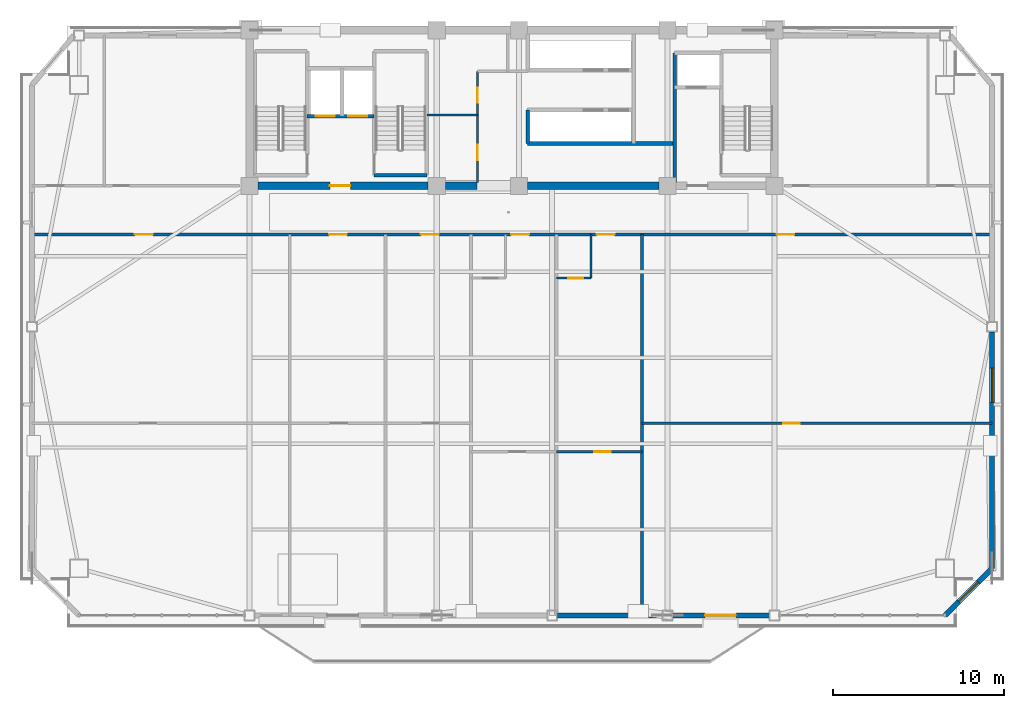
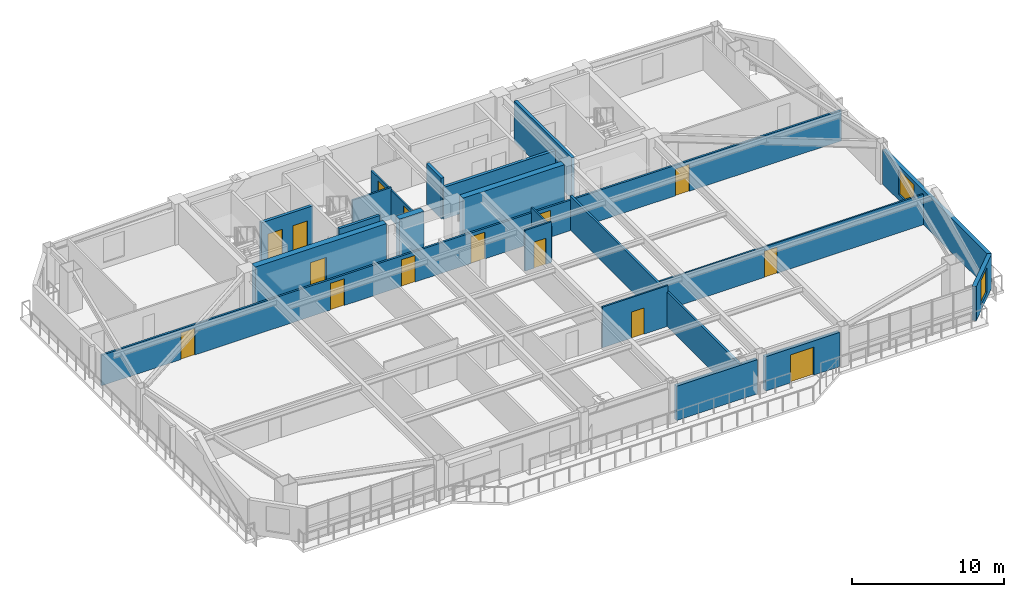
# One storey, part 9 of 17: 20 walls, 15 doors, 2 windows, 17 openings.
"""IFC4 building model written with IfcOpenShell, lengths in metres."""

from ifc_helpers import new_model, si_unit, direction, frame, frame_2d, origin, place, context, subcontext, project, spatial, rectangle, extrude, source, transform, mapped, material, layer, layer_set, type_object, element, fill, save


model = new_model("IFC4")

# Units and contexts
model_context = context("Model", 3, precision=1e-05, world=origin(), true_north=direction((0.0, 1.0)))
body_context = subcontext(model_context, "Body", "Model", "MODEL_VIEW")
ifc_project = project(units=[si_unit("LENGTHUNIT", "METRE"), si_unit("AREAUNIT", "SQUARE_METRE"), si_unit("VOLUMEUNIT", "CUBIC_METRE"), si_unit("PLANEANGLEUNIT", "RADIAN"), si_unit("MASSUNIT", "GRAM", prefix="KILO")], contexts=[model_context])

# Site, building, storey
site_placement = place(None, origin())
site = spatial("IfcSite", under=ifc_project, at=site_placement, CompositionType="ELEMENT")
building_placement = place(site_placement, origin())
building = spatial("IfcBuilding", under=site, at=building_placement, Name="Giltprow Tower", CompositionType="ELEMENT")
storey_placement = place(building_placement, frame((0.0, 0.0, 213.199951171875)))
storey = spatial("IfcBuildingStorey", under=building, at=storey_placement, Name="L54", CompositionType="ELEMENT", Elevation=213.199951171875)

# Wall, opening, window
ifc_material_1 = material(Name="Precast concrete C40", Category="concrete")
ifc_layer_1 = layer(ifc_material_1, 0.300048828125, Name="Precast concrete C40")
ifc_layer_set_1 = layer_set([ifc_layer_1], Name="Precast concrete C40")
wall_type_1 = type_object("IfcWallType", Name="EW-NOTCH-CHAMFER-300", PredefinedType="SOLIDWALL", material=ifc_layer_set_1)
wall_1_placement = place(storey_placement, frame((60.528076171875, 12.318115234375, 0.0), z_axis=(0.0, 0.0, 1.0), x_axis=(0.707106781187, 0.707106781187, 0.0)))
wall_1 = element("IfcWall", 1, at=wall_1_placement, inside=storey, type_object=wall_type_1, Name="L54 Corner Notch Wall SE", PredefinedType="SOLIDWALL", context=body_context, shape_type="SweptSolid", body=[
    extrude(rectangle(XDim=3.89453125, YDim=0.300048828125, at=frame_2d((1.947265625, 0.0))), origin(), (0.0, 0.0, 1.0), 2.75),
])
opening_1_placement = place(wall_1_placement, frame((1.14697265625, 0.0, 0.449951171875)))
opening_1 = element("IfcOpeningElement", 2, at=opening_1_placement, cuts=wall_1, Name="Opening WN17", PredefinedType="OPENING", context=body_context, shape_type="SweptSolid", body=[
    extrude(rectangle(XDim=1.60009765625, YDim=2.0, at=frame_2d((0.800048828125, 1.0))), frame((0.0, 0.159912109375, 0.0), z_axis=(0.0, -1.0, 0.0), x_axis=(1.0, 0.0, 0.0)), (0.0, 0.0, 1.0), 0.320068359375),
])
ifc_material_2 = material(Name="Insulated glass", Category="glass")
window_type_1 = type_object("IfcWindowType", Name="WN-COR-1600x2000", PartitioningType="SINGLE_PANEL", PredefinedType="WINDOW", material=ifc_material_2)
shared_shape_1 = source(origin(), body_context, "Body", "SweptSolid", [
    extrude(rectangle(XDim=1.60009765625, YDim=2.0, at=frame_2d((0.800048828125, 1.0))), frame((0.0, 0.030029296875, 0.0), z_axis=(0.0, -1.0, 0.0), x_axis=(1.0, 0.0, 0.0)), (0.0, 0.0, 1.0), 0.06005859375),
])
window_1_placement = place(opening_1_placement, origin())
window_1 = element("IfcWindow", 3, at=window_1_placement, inside=storey, type_object=window_type_1, Name="L54 Corner Notch Window SE", OverallHeight=2.0, OverallWidth=1.60009765625, PartitioningType="SINGLE_PANEL", PredefinedType="WINDOW", context=body_context, shape_type="MappedRepresentation", body=[
    mapped(shared_shape_1, transform((0.0, 0.0, 0.0), x_axis=(1.0, 0.0, 0.0), y_axis=(0.0, 1.0, 0.0), z_axis=(0.0, 0.0, 1.0), scale=1.0)),
])
fill(opening_1, window_1)

# Wall
ifc_layer_2 = layer(ifc_material_1, 0.280029296875, Name="Precast concrete C40")
ifc_layer_set_2 = layer_set([ifc_layer_2], Name="Precast concrete C40")
wall_type_2 = type_object("IfcWallType", Name="EW-TOW-BRONZE-280", PredefinedType="SOLIDWALL", material=ifc_layer_set_2)
wall_2_placement = place(storey_placement, frame((37.85009765625, 12.318115234375, 0.0), z_axis=(0.0, 0.0, 1.0), x_axis=(1.0, 0.0, 0.0)))
element("IfcWall", 4, at=wall_2_placement, inside=storey, type_object=wall_type_2, Name="L54 South Expressed Frame Wall 4", PredefinedType="SOLIDWALL", context=body_context, shape_type="SweptSolid", body=[
    extrude(rectangle(XDim=6.14990234375, YDim=0.280029296875, at=frame_2d((3.074951171875, 0.0))), origin(), (0.0, 0.0, 1.0), 2.75),
])

# Wall, opening, door
wall_3_placement = place(storey_placement, frame((44.60009765625, 12.318115234375, 0.0), z_axis=(0.0, 0.0, 1.0), x_axis=(1.0, 0.0, 0.0)))
wall_3 = element("IfcWall", 5, at=wall_3_placement, inside=storey, type_object=wall_type_2, Name="L54 South Expressed Frame Wall 5", PredefinedType="SOLIDWALL", context=body_context, shape_type="SweptSolid", body=[
    extrude(rectangle(XDim=5.64990234375, YDim=0.280029296875, at=frame_2d((2.824951171875, 0.0))), origin(), (0.0, 0.0, 1.0), 2.75),
])
opening_2_placement = place(wall_3_placement, frame((1.89990234375, 0.0, 0.0)))
opening_2 = element("IfcOpeningElement", 6, at=opening_2_placement, cuts=wall_3, Name="Opening ED25", PredefinedType="OPENING", context=body_context, shape_type="SweptSolid", body=[
    extrude(rectangle(XDim=1.800048828125, YDim=2.25, at=frame_2d((0.89990234375, 1.125))), frame((0.0, 0.14990234375, 0.0), z_axis=(0.0, -1.0, 0.0), x_axis=(1.0, 0.0, 0.0)), (0.0, 0.0, 1.0), 0.300048828125),
])
ifc_material_3 = material(Name="Anodized bronze and glass", Category="glass")
door_type_1 = type_object("IfcDoorType", Name="DR-BALC-SLIDE-1800", OperationType="SLIDING_TO_LEFT", PredefinedType="DOOR", material=ifc_material_3)
shared_shape_2 = source(origin(), body_context, "Body", "SweptSolid", [
    extrude(rectangle(XDim=1.800048828125, YDim=2.25, at=frame_2d((0.89990234375, 1.125))), frame((0.0, 0.02490234375, 0.0), z_axis=(0.0, -1.0, 0.0), x_axis=(1.0, 0.0, 0.0)), (0.0, 0.0, 1.0), 0.050048828125),
])
door_1_placement = place(opening_2_placement, origin())
door_1 = element("IfcDoor", 7, at=door_1_placement, inside=storey, type_object=door_type_1, Name="L54 Waterfront Balcony Sliding Door 2", OperationType="SLIDING_TO_LEFT", OverallHeight=2.25, OverallWidth=1.800048828125, PredefinedType="DOOR", context=body_context, shape_type="MappedRepresentation", body=[
    mapped(shared_shape_2, transform((0.0, 0.0, 0.0), x_axis=(1.0, 0.0, 0.0), y_axis=(0.0, 1.0, 0.0), z_axis=(0.0, 0.0, 1.0), scale=1.0)),
])
fill(opening_2, door_1)

# Wall, opening, window
wall_4_placement = place(storey_placement, frame((63.281982421875, 15.072021484375, 0.0), z_axis=(0.0, 0.0, 1.0), x_axis=(0.0, 1.0, 0.0)))
wall_4 = element("IfcWall", 8, at=wall_4_placement, inside=storey, type_object=wall_type_2, Name="L54 E Wing Masonry Wall 1", PredefinedType="SOLIDWALL", context=body_context, shape_type="SweptSolid", body=[
    extrude(rectangle(XDim=13.8369140625, YDim=0.280029296875, at=frame_2d((6.91845703125, 0.0))), origin(), (0.0, 0.0, 1.0), 2.75),
])
opening_3_placement = place(wall_4_placement, frame((9.7099609375, 0.0, 0.449951171875)))
opening_3 = element("IfcOpeningElement", 9, at=opening_3_placement, cuts=wall_4, Name="Opening WN21", PredefinedType="OPENING", context=body_context, shape_type="SweptSolid", body=[
    extrude(rectangle(XDim=2.0, YDim=2.0, at=frame_2d((1.0, 1.0))), frame((0.0, 0.14990234375, 0.0), z_axis=(0.0, -1.0, 0.0), x_axis=(1.0, 0.0, 0.0)), (0.0, 0.0, 1.0), 0.300048828125),
])
window_type_2 = type_object("IfcWindowType", Name="WN-HTL-2000x2000", PartitioningType="DOUBLE_PANEL_VERTICAL", PredefinedType="WINDOW", material=ifc_material_2)
shared_shape_3 = source(origin(), body_context, "Body", "SweptSolid", [
    extrude(rectangle(XDim=2.0, YDim=2.0, at=frame_2d((1.0, 1.0))), frame((0.0, 0.030029296875, 0.0), z_axis=(0.0, -1.0, 0.0), x_axis=(1.0, 0.0, 0.0)), (0.0, 0.0, 1.0), 0.06005859375),
])
window_2_placement = place(opening_3_placement, origin())
window_2 = element("IfcWindow", 10, at=window_2_placement, inside=storey, type_object=window_type_2, Name="L54 E Wing Window 1-1", OverallHeight=2.0, OverallWidth=2.0, PartitioningType="SINGLE_PANEL", PredefinedType="WINDOW", context=body_context, shape_type="MappedRepresentation", body=[
    mapped(shared_shape_3, transform((0.0, 0.0, 0.0), x_axis=(1.0, 0.0, 0.0), y_axis=(0.0, 1.0, 0.0), z_axis=(0.0, 0.0, 1.0), scale=1.0)),
])
fill(opening_3, window_2)

# Wall, openings, doors
ifc_material_4 = material(Name="Gypsum stud partition", Category="gypsum")
ifc_layer_3 = layer(ifc_material_4, 0.14990234375, Name="Gypsum stud partition")
ifc_layer_set_3 = layer_set([ifc_layer_3], Name="Gypsum stud partition")
wall_type_3 = type_object("IfcWallType", Name="IW-CORR-150", PredefinedType="PARTITIONING", material=ifc_layer_set_3)
wall_5_placement = place(storey_placement, frame((7.117919921875, 34.60009765625, 0.0), z_axis=(0.0, 0.0, 1.0), x_axis=(1.0, 0.0, 0.0)))
wall_5 = element("IfcWall", 11, at=wall_5_placement, inside=storey, type_object=wall_type_3, Name="L54 Hotel Guestroom Corridor Wall", PredefinedType="PARTITIONING", context=body_context, shape_type="SweptSolid", body=[
    extrude(rectangle(XDim=56.1640625, YDim=0.14990234375, at=frame_2d((28.08203125, 0.0))), origin(), (0.0, 0.0, 1.0), 2.455078125),
])
opening_4_placement = place(wall_5_placement, frame((6.02392578125, 0.0, 0.0)))
opening_4 = element("IfcOpeningElement", 12, at=opening_4_placement, cuts=wall_5, Name="Opening ID31", PredefinedType="OPENING", context=body_context, shape_type="SweptSolid", body=[
    extrude(rectangle(XDim=1.050048828125, YDim=2.14990234375, at=frame_2d((0.52490234375, 1.074951171875))), frame((0.0, 0.0849609375, 0.0), z_axis=(0.0, -1.0, 0.0), x_axis=(1.0, 0.0, 0.0)), (0.0, 0.0, 1.0), 0.169921875),
])
opening_5_placement = place(wall_5_placement, frame((17.37890625, 0.0, 0.0)))
opening_5 = element("IfcOpeningElement", 13, at=opening_5_placement, cuts=wall_5, Name="Opening ID31", PredefinedType="OPENING", context=body_context, shape_type="SweptSolid", body=[
    extrude(rectangle(XDim=1.050048828125, YDim=2.14990234375, at=frame_2d((0.52490234375, 1.074951171875))), frame((0.0, 0.0849609375, 0.0), z_axis=(0.0, -1.0, 0.0), x_axis=(1.0, 0.0, 0.0)), (0.0, 0.0, 1.0), 0.169921875),
])
opening_6_placement = place(wall_5_placement, frame((22.7509765625, 0.0, 0.0)))
opening_6 = element("IfcOpeningElement", 14, at=opening_6_placement, cuts=wall_5, Name="Opening ID31", PredefinedType="OPENING", context=body_context, shape_type="SweptSolid", body=[
    extrude(rectangle(XDim=1.050048828125, YDim=2.14990234375, at=frame_2d((0.52490234375, 1.074951171875))), frame((0.0, 0.0849609375, 0.0), z_axis=(0.0, -1.0, 0.0), x_axis=(1.0, 0.0, 0.0)), (0.0, 0.0, 1.0), 0.169921875),
])
opening_7_placement = place(wall_5_placement, frame((28.0380859375, 0.0, 0.0)))
opening_7 = element("IfcOpeningElement", 15, at=opening_7_placement, cuts=wall_5, Name="Opening ID31", PredefinedType="OPENING", context=body_context, shape_type="SweptSolid", body=[
    extrude(rectangle(XDim=1.050048828125, YDim=2.14990234375, at=frame_2d((0.52490234375, 1.074951171875))), frame((0.0, 0.0849609375, 0.0), z_axis=(0.0, -1.0, 0.0), x_axis=(1.0, 0.0, 0.0)), (0.0, 0.0, 1.0), 0.169921875),
])
opening_8_placement = place(wall_5_placement, frame((33.0380859375, 0.0, 0.0)))
opening_8 = element("IfcOpeningElement", 16, at=opening_8_placement, cuts=wall_5, Name="Opening ID31", PredefinedType="OPENING", context=body_context, shape_type="SweptSolid", body=[
    extrude(rectangle(XDim=1.050048828125, YDim=2.14990234375, at=frame_2d((0.52490234375, 1.074951171875))), frame((0.0, 0.0849609375, 0.0), z_axis=(0.0, -1.0, 0.0), x_axis=(1.0, 0.0, 0.0)), (0.0, 0.0, 1.0), 0.169921875),
])
opening_9_placement = place(wall_5_placement, frame((43.55810546875, 0.0, 0.0)))
opening_9 = element("IfcOpeningElement", 17, at=opening_9_placement, cuts=wall_5, Name="Opening ID31", PredefinedType="OPENING", context=body_context, shape_type="SweptSolid", body=[
    extrude(rectangle(XDim=1.050048828125, YDim=2.14990234375, at=frame_2d((0.52490234375, 1.074951171875))), frame((0.0, 0.0849609375, 0.0), z_axis=(0.0, -1.0, 0.0), x_axis=(1.0, 0.0, 0.0)), (0.0, 0.0, 1.0), 0.169921875),
])
ifc_material_5 = material(Name="Engineered timber", Category="wood")
door_type_2 = type_object("IfcDoorType", Name="DR-SUITE-1050", OperationType="SINGLE_SWING_LEFT", PredefinedType="DOOR", material=ifc_material_5)
shared_shape_4 = source(origin(), body_context, "Body", "SweptSolid", [
    extrude(rectangle(XDim=1.050048828125, YDim=2.14990234375, at=frame_2d((0.52490234375, 1.074951171875))), frame((0.0, 0.02490234375, 0.0), z_axis=(0.0, -1.0, 0.0), x_axis=(1.0, 0.0, 0.0)), (0.0, 0.0, 1.0), 0.050048828125),
])
door_2_placement = place(opening_4_placement, origin())
door_2 = element("IfcDoor", 18, at=door_2_placement, inside=storey, type_object=door_type_2, Name="L54 Suite Reception Foyer Door", OperationType="SINGLE_SWING_RIGHT", OverallHeight=2.14990234375, OverallWidth=1.050048828125, PredefinedType="DOOR", context=body_context, shape_type="MappedRepresentation", body=[
    mapped(shared_shape_4, transform((0.0, 0.0, 0.0), x_axis=(1.0, 0.0, 0.0), y_axis=(0.0, 1.0, 0.0), z_axis=(0.0, 0.0, 1.0), scale=1.0)),
])
fill(opening_4, door_2)
door_3_placement = place(opening_5_placement, origin())
door_3 = element("IfcDoor", 19, at=door_3_placement, inside=storey, type_object=door_type_2, Name="L54 Suite Reception Foyer Door", OperationType="SINGLE_SWING_RIGHT", OverallHeight=2.14990234375, OverallWidth=1.050048828125, PredefinedType="DOOR", context=body_context, shape_type="MappedRepresentation", body=[
    mapped(shared_shape_4, transform((0.0, 0.0, 0.0), x_axis=(1.0, 0.0, 0.0), y_axis=(0.0, 1.0, 0.0), z_axis=(0.0, 0.0, 1.0), scale=1.0)),
])
fill(opening_5, door_3)
door_4_placement = place(opening_6_placement, origin())
door_4 = element("IfcDoor", 20, at=door_4_placement, inside=storey, type_object=door_type_2, Name="L54 Suite Reception Foyer Door", OperationType="SINGLE_SWING_RIGHT", OverallHeight=2.14990234375, OverallWidth=1.050048828125, PredefinedType="DOOR", context=body_context, shape_type="MappedRepresentation", body=[
    mapped(shared_shape_4, transform((0.0, 0.0, 0.0), x_axis=(1.0, 0.0, 0.0), y_axis=(0.0, 1.0, 0.0), z_axis=(0.0, 0.0, 1.0), scale=1.0)),
])
fill(opening_6, door_4)
door_5_placement = place(opening_7_placement, origin())
door_5 = element("IfcDoor", 21, at=door_5_placement, inside=storey, type_object=door_type_2, Name="L54 Hotel Room 4 Entry Door", OperationType="SINGLE_SWING_RIGHT", OverallHeight=2.14990234375, OverallWidth=1.050048828125, PredefinedType="DOOR", context=body_context, shape_type="MappedRepresentation", body=[
    mapped(shared_shape_4, transform((0.0, 0.0, 0.0), x_axis=(1.0, 0.0, 0.0), y_axis=(0.0, 1.0, 0.0), z_axis=(0.0, 0.0, 1.0), scale=1.0)),
])
fill(opening_7, door_5)
door_6_placement = place(opening_8_placement, origin())
door_6 = element("IfcDoor", 22, at=door_6_placement, inside=storey, type_object=door_type_2, Name="L54 Hotel Room 5 Entry Door", OperationType="SINGLE_SWING_LEFT", OverallHeight=2.14990234375, OverallWidth=1.050048828125, PredefinedType="DOOR", context=body_context, shape_type="MappedRepresentation", body=[
    mapped(shared_shape_4, transform((0.0, 0.0, 0.0), x_axis=(1.0, 0.0, 0.0), y_axis=(0.0, 1.0, 0.0), z_axis=(0.0, 0.0, 1.0), scale=1.0)),
])
fill(opening_8, door_6)
door_7_placement = place(opening_9_placement, origin())
door_7 = element("IfcDoor", 23, at=door_7_placement, inside=storey, type_object=door_type_2, Name="L54 Suite Reception Foyer Door", OperationType="SINGLE_SWING_RIGHT", OverallHeight=2.14990234375, OverallWidth=1.050048828125, PredefinedType="DOOR", context=body_context, shape_type="MappedRepresentation", body=[
    mapped(shared_shape_4, transform((0.0, 0.0, 0.0), x_axis=(1.0, 0.0, 0.0), y_axis=(0.0, 1.0, 0.0), z_axis=(0.0, 0.0, 1.0), scale=1.0)),
])
fill(opening_9, door_7)

# Wall
ifc_layer_4 = layer(ifc_material_4, 0.159912109375, Name="Gypsum stud partition")
ifc_layer_set_4 = layer_set([ifc_layer_4], Name="Gypsum stud partition")
wall_type_4 = type_object("IfcWallType", Name="IW-DEMISE-160", PredefinedType="PARTITIONING", material=ifc_layer_set_4)
wall_6_placement = place(storey_placement, frame((42.800048828125, 12.318115234375, 0.0), z_axis=(0.0, 0.0, 1.0), x_axis=(0.0, 1.0, 0.0)))
element("IfcWall", 24, at=wall_6_placement, inside=storey, type_object=wall_type_4, Name="L54 Hotel Demising Wall 5", PredefinedType="PARTITIONING", context=body_context, shape_type="SweptSolid", body=[
    extrude(rectangle(XDim=22.281982421875, YDim=0.159912109375, at=frame_2d((11.14111328125, 0.0))), origin(), (0.0, 0.0, 1.0), 2.755126953125),
])

# Wall, opening, door
ifc_layer_5 = layer(ifc_material_4, 0.1201171875, Name="Gypsum stud partition")
ifc_layer_set_5 = layer_set([ifc_layer_5], Name="Gypsum stud partition")
wall_type_5 = type_object("IfcWallType", Name="IW-ROOM-120", PredefinedType="PARTITIONING", material=ifc_layer_set_5)
wall_7_placement = place(storey_placement, frame((37.800048828125, 21.89306640625, 0.0), z_axis=(0.0, 0.0, 1.0), x_axis=(1.0, 0.0, 0.0)))
wall_7 = element("IfcWall", 25, at=wall_7_placement, inside=storey, type_object=wall_type_5, Name="L54 Suite Parlour Divider 5", PredefinedType="PARTITIONING", context=body_context, shape_type="SweptSolid", body=[
    extrude(rectangle(XDim=5.0, YDim=0.1201171875, at=frame_2d((2.5, 0.0))), origin(), (0.0, 0.0, 1.0), 3.27001953125),
])
opening_10_placement = place(wall_7_placement, frame((2.22509765625, 0.0, 0.0)))
opening_10 = element("IfcOpeningElement", 26, at=opening_10_placement, cuts=wall_7, Name="Opening ID11", PredefinedType="OPENING", context=body_context, shape_type="SweptSolid", body=[
    extrude(rectangle(XDim=0.949951171875, YDim=2.10009765625, at=frame_2d((0.47509765625, 1.050048828125))), frame((0.0, 0.070068359375, 0.0), z_axis=(0.0, -1.0, 0.0), x_axis=(1.0, 0.0, 0.0)), (0.0, 0.0, 1.0), 0.14013671875),
])
door_type_3 = type_object("IfcDoorType", Name="DR-ROOM-950", OperationType="SINGLE_SWING_RIGHT", PredefinedType="DOOR", material=ifc_material_5)
shared_shape_5 = source(origin(), body_context, "Body", "SweptSolid", [
    extrude(rectangle(XDim=0.949951171875, YDim=2.10009765625, at=frame_2d((0.47509765625, 1.050048828125))), frame((0.0, 0.02490234375, 0.0), z_axis=(0.0, -1.0, 0.0), x_axis=(1.0, 0.0, 0.0)), (0.0, 0.0, 1.0), 0.050048828125),
])
door_8_placement = place(opening_10_placement, origin())
door_8 = element("IfcDoor", 27, at=door_8_placement, inside=storey, type_object=door_type_3, Name="L54 Harbour Parlour 5 Door", OperationType="SINGLE_SWING_LEFT", OverallHeight=2.10009765625, OverallWidth=0.949951171875, PredefinedType="DOOR", context=body_context, shape_type="MappedRepresentation", body=[
    mapped(shared_shape_5, transform((0.0, 0.0, 0.0), x_axis=(1.0, 0.0, 0.0), y_axis=(0.0, 1.0, 0.0), z_axis=(0.0, 0.0, 1.0), scale=1.0)),
])
fill(opening_10, door_8)

wall_8_placement = place(storey_placement, frame((42.800048828125, 23.55908203125, 0.0), z_axis=(0.0, 0.0, 1.0), x_axis=(1.0, 0.0, 0.0)))
wall_8 = element("IfcWall", 28, at=wall_8_placement, inside=storey, type_object=wall_type_5, Name="L54 Amenity Mid Wall 6", PredefinedType="PARTITIONING", context=body_context, shape_type="SweptSolid", body=[
    extrude(rectangle(XDim=20.48193359375, YDim=0.1201171875, at=frame_2d((10.240966796875, 0.0))), origin(), (0.0, 0.0, 1.0), 2.455078125),
])
opening_11_placement = place(wall_8_placement, frame((8.279052734375, 0.0, 0.0)))
opening_11 = element("IfcOpeningElement", 29, at=opening_11_placement, cuts=wall_8, Name="Opening ID11", PredefinedType="OPENING", context=body_context, shape_type="SweptSolid", body=[
    extrude(rectangle(XDim=0.949951171875, YDim=2.10009765625, at=frame_2d((0.47509765625, 1.050048828125))), frame((0.0, 0.070068359375, 0.0), z_axis=(0.0, -1.0, 0.0), x_axis=(1.0, 0.0, 0.0)), (0.0, 0.0, 1.0), 0.14013671875),
])
door_9_placement = place(opening_11_placement, origin())
door_9 = element("IfcDoor", 30, at=door_9_placement, inside=storey, type_object=door_type_3, Name="L54 Presidential Reception 3 Inner Door", OperationType="SINGLE_SWING_LEFT", OverallHeight=2.10009765625, OverallWidth=0.949951171875, PredefinedType="DOOR", context=body_context, shape_type="MappedRepresentation", body=[
    mapped(shared_shape_5, transform((0.0, 0.0, 0.0), x_axis=(1.0, 0.0, 0.0), y_axis=(0.0, 1.0, 0.0), z_axis=(0.0, 0.0, 1.0), scale=1.0)),
])
fill(opening_11, door_9)

# Wall, openings, doors
ifc_material_6 = material(Name="Concrete C40", Category="concrete")
ifc_layer_6 = layer(ifc_material_6, 0.219970703125, Name="Concrete C40")
ifc_layer_set_6 = layer_set([ifc_layer_6], Name="Concrete C40")
wall_type_6 = type_object("IfcWallType", Name="IW-SHAFT-220", PredefinedType="SOLIDWALL", material=ifc_layer_set_6)
wall_9_placement = place(storey_placement, frame((23.219970703125, 41.52001953125, 0.0), z_axis=(0.0, 0.0, 1.0), x_axis=(1.0, 0.0, 0.0)))
wall_9 = element("IfcWall", 31, at=wall_9_placement, inside=storey, type_object=wall_type_6, Name="L54 FFL1 and Service Lift Front Wall", PredefinedType="SOLIDWALL", context=body_context, shape_type="SweptSolid", body=[
    extrude(rectangle(XDim=3.919921875, YDim=0.219970703125, at=frame_2d((1.9599609375, 0.0))), origin(), (0.0, 0.0, 1.0), 3.27001953125),
])
opening_12_placement = place(wall_9_placement, frame((0.5, 0.0, 0.0)))
opening_12 = element("IfcOpeningElement", 32, at=opening_12_placement, cuts=wall_9, Name="Opening LD-11", PredefinedType="OPENING", context=body_context, shape_type="SweptSolid", body=[
    extrude(rectangle(XDim=1.10009765625, YDim=2.199951171875, at=frame_2d((0.550048828125, 1.10009765625))), frame((0.0, 0.119873046875, 0.0), z_axis=(0.0, -1.0, 0.0), x_axis=(1.0, 0.0, 0.0)), (0.0, 0.0, 1.0), 0.239990234375),
])
opening_13_placement = place(wall_9_placement, frame((2.39990234375, 0.0, 0.0)))
opening_13 = element("IfcOpeningElement", 33, at=opening_13_placement, cuts=wall_9, Name="Opening LD-11", PredefinedType="OPENING", context=body_context, shape_type="SweptSolid", body=[
    extrude(rectangle(XDim=1.10009765625, YDim=2.199951171875, at=frame_2d((0.550048828125, 1.10009765625))), frame((0.0, 0.119873046875, 0.0), z_axis=(0.0, -1.0, 0.0), x_axis=(1.0, 0.0, 0.0)), (0.0, 0.0, 1.0), 0.239990234375),
])
ifc_material_7 = material(Name="Stainless steel", Category="steel")
door_type_4 = type_object("IfcDoorType", Name="DR-LIFT-LD1100", OperationType="SLIDING_TO_LEFT", PredefinedType="DOOR", material=ifc_material_7)
shared_shape_6 = source(origin(), body_context, "Body", "SweptSolid", [
    extrude(rectangle(XDim=1.10009765625, YDim=2.199951171875, at=frame_2d((0.550048828125, 1.10009765625))), frame((0.0, 0.02490234375, 0.0), z_axis=(0.0, -1.0, 0.0), x_axis=(1.0, 0.0, 0.0)), (0.0, 0.0, 1.0), 0.050048828125),
])
door_10_placement = place(opening_12_placement, origin())
door_10 = element("IfcDoor", 34, at=door_10_placement, inside=storey, type_object=door_type_4, Name="L54 FFL1 Landing Door", OperationType="SLIDING_TO_LEFT", OverallHeight=2.199951171875, OverallWidth=1.10009765625, PredefinedType="DOOR", context=body_context, shape_type="MappedRepresentation", body=[
    mapped(shared_shape_6, transform((0.0, 0.0, 0.0), x_axis=(1.0, 0.0, 0.0), y_axis=(0.0, 1.0, 0.0), z_axis=(0.0, 0.0, 1.0), scale=1.0)),
])
fill(opening_12, door_10)
door_11_placement = place(opening_13_placement, origin())
door_11 = element("IfcDoor", 35, at=door_11_placement, inside=storey, type_object=door_type_4, Name="L54 SVL1 Landing Door", OperationType="SLIDING_TO_LEFT", OverallHeight=2.199951171875, OverallWidth=1.10009765625, PredefinedType="DOOR", context=body_context, shape_type="MappedRepresentation", body=[
    mapped(shared_shape_6, transform((0.0, 0.0, 0.0), x_axis=(1.0, 0.0, 0.0), y_axis=(0.0, 1.0, 0.0), z_axis=(0.0, 0.0, 1.0), scale=1.0)),
])
fill(opening_13, door_11)

# Walls
wall_10_placement = place(storey_placement, frame((44.719970703125, 37.655029296875, 0.0), z_axis=(0.0, 0.0, 1.0), x_axis=(0.0, 1.0, 0.0)))
element("IfcWall", 36, at=wall_10_placement, inside=storey, type_object=wall_type_6, Name="L54 East Firefighting Lobby West Wall", PredefinedType="SOLIDWALL", context=body_context, shape_type="SweptSolid", body=[
    extrude(rectangle(XDim=7.56494140625, YDim=0.219970703125, at=frame_2d((3.782470703125, 0.0))), origin(), (0.0, 0.0, 1.0), 3.27001953125),
])
wall_11_placement = place(storey_placement, frame((36.1201171875, 39.919921875, 0.0), z_axis=(0.0, 0.0, 1.0), x_axis=(1.0, 0.0, 0.0)))
element("IfcWall", 37, at=wall_11_placement, inside=storey, type_object=wall_type_6, Name="L54 Mid-Rise South Lift Back Wall", PredefinedType="SOLIDWALL", context=body_context, shape_type="SweptSolid", body=[
    extrude(rectangle(XDim=8.599853515625, YDim=0.219970703125, at=frame_2d((4.2998046875, 0.0))), origin(), (0.0, 0.0, 1.0), 2.554931640625),
])
wall_12_placement = place(storey_placement, frame((36.1201171875, 39.919921875, 0.0), z_axis=(0.0, 0.0, 1.0), x_axis=(0.0, 1.0, 0.0)))
element("IfcWall", 38, at=wall_12_placement, inside=storey, type_object=wall_type_6, Name="L54 Mid-Rise South Lift West Closure", PredefinedType="SOLIDWALL", context=body_context, shape_type="SweptSolid", body=[
    extrude(rectangle(XDim=1.9599609375, YDim=0.219970703125, at=frame_2d((0.97998046875, 0.0))), origin(), (0.0, 0.0, 1.0), 3.27001953125),
])
ifc_layer_7 = layer(ifc_material_6, 0.199951171875, Name="Concrete C40")
ifc_layer_set_7 = layer_set([ifc_layer_7], Name="Concrete C40")
wall_type_7 = type_object("IfcWallType", Name="IW-STAIR-200", PredefinedType="SOLIDWALL", material=ifc_layer_set_7)
wall_13_placement = place(storey_placement, frame((27.139892578125, 38.070068359375, 0.0), z_axis=(0.0, 0.0, 1.0), x_axis=(1.0, 0.0, 0.0)))
element("IfcWall", 39, at=wall_13_placement, inside=storey, type_object=wall_type_7, Name="L54 Stair ST-2 South Bearing Wall", PredefinedType="SOLIDWALL", context=body_context, shape_type="SweptSolid", body=[
    extrude(rectangle(XDim=3.080078125, YDim=0.199951171875, at=frame_2d((1.5400390625, 0.0))), origin(), (0.0, 0.0, 1.0), 3.5),
])

# Wall, openings, doors
ifc_material_8 = material(Name="Concrete C30", Category="concrete")
ifc_layer_8 = layer(ifc_material_8, 0.1298828125, Name="Concrete C30")
ifc_layer_set_8 = layer_set([ifc_layer_8], Name="Concrete C30")
wall_type_8 = type_object("IfcWallType", Name="IW-WET-130", PredefinedType="PARTITIONING", material=ifc_layer_set_8)
wall_14_placement = place(storey_placement, frame((33.179931640625, 37.655029296875, 0.0), z_axis=(0.0, 0.0, 1.0), x_axis=(0.0, 1.0, 0.0)))
wall_14 = element("IfcWall", 40, at=wall_14_placement, inside=storey, type_object=wall_type_8, Name="L54 Reclaimed Core Room East Wall", PredefinedType="PARTITIONING", context=body_context, shape_type="SweptSolid", body=[
    extrude(rectangle(XDim=6.494873046875, YDim=0.1298828125, at=frame_2d((3.24755859375, 0.0))), origin(), (0.0, 0.0, 1.0), 2.35498046875),
])
opening_14_placement = place(wall_14_placement, frame((1.294921875, 0.0, 0.0)))
opening_14 = element("IfcOpeningElement", 41, at=opening_14_placement, cuts=wall_14, Name="Opening ID35", PredefinedType="OPENING", context=body_context, shape_type="SweptSolid", body=[
    extrude(rectangle(XDim=0.89990234375, YDim=2.10009765625, at=frame_2d((0.449951171875, 1.050048828125))), frame((0.0, 0.074951171875, 0.0), z_axis=(0.0, -1.0, 0.0), x_axis=(1.0, 0.0, 0.0)), (0.0, 0.0, 1.0), 0.14990234375),
])
opening_15_placement = place(wall_14_placement, frame((4.64501953125, 0.0, 0.0)))
opening_15 = element("IfcOpeningElement", 42, at=opening_15_placement, cuts=wall_14, Name="Opening ID35", PredefinedType="OPENING", context=body_context, shape_type="SweptSolid", body=[
    extrude(rectangle(XDim=0.89990234375, YDim=2.10009765625, at=frame_2d((0.449951171875, 1.050048828125))), frame((0.0, 0.074951171875, 0.0), z_axis=(0.0, -1.0, 0.0), x_axis=(1.0, 0.0, 0.0)), (0.0, 0.0, 1.0), 0.14990234375),
])
ifc_material_9 = material(Name="Steel fire leaf", Category="steel")
door_type_5 = type_object("IfcDoorType", Name="DR-SHAFT-900", OperationType="SINGLE_SWING_LEFT", PredefinedType="DOOR", material=ifc_material_9)
shared_shape_7 = source(origin(), body_context, "Body", "SweptSolid", [
    extrude(rectangle(XDim=0.89990234375, YDim=2.10009765625, at=frame_2d((0.449951171875, 1.050048828125))), frame((0.0, 0.02490234375, 0.0), z_axis=(0.0, -1.0, 0.0), x_axis=(1.0, 0.0, 0.0)), (0.0, 0.0, 1.0), 0.050048828125),
])
door_12_placement = place(opening_14_placement, origin())
door_12 = element("IfcDoor", 43, at=door_12_placement, inside=storey, type_object=door_type_5, Name="L54 Housekeeping Room Door", OperationType="SINGLE_SWING_RIGHT", OverallHeight=2.10009765625, OverallWidth=0.89990234375, PredefinedType="DOOR", context=body_context, shape_type="MappedRepresentation", body=[
    mapped(shared_shape_7, transform((0.0, 0.0, 0.0), x_axis=(1.0, 0.0, 0.0), y_axis=(0.0, 1.0, 0.0), z_axis=(0.0, 0.0, 1.0), scale=1.0)),
])
fill(opening_14, door_12)
door_13_placement = place(opening_15_placement, origin())
door_13 = element("IfcDoor", 44, at=door_13_placement, inside=storey, type_object=door_type_5, Name="L54 Core Staff Washroom Door", OperationType="SINGLE_SWING_LEFT", OverallHeight=2.10009765625, OverallWidth=0.89990234375, PredefinedType="DOOR", context=body_context, shape_type="MappedRepresentation", body=[
    mapped(shared_shape_7, transform((0.0, 0.0, 0.0), x_axis=(1.0, 0.0, 0.0), y_axis=(0.0, 1.0, 0.0), z_axis=(0.0, 0.0, 1.0), scale=1.0)),
])
fill(opening_15, door_13)

# Wall
wall_15_placement = place(storey_placement, frame((30.219970703125, 41.60009765625, 0.0), z_axis=(0.0, 0.0, 1.0), x_axis=(1.0, 0.0, 0.0)))
element("IfcWall", 45, at=wall_15_placement, inside=storey, type_object=wall_type_8, Name="L54 Core Housekeeping Split", PredefinedType="PARTITIONING", context=body_context, shape_type="SweptSolid", body=[
    extrude(rectangle(XDim=2.9599609375, YDim=0.1298828125, at=frame_2d((1.47998046875, 0.0))), origin(), (0.0, 0.0, 1.0), 2.554931640625),
])

# Wall, opening, door
wall_16_placement = place(storey_placement, frame((37.800048828125, 32.050048828125, 0.0), z_axis=(0.0, 0.0, 1.0), x_axis=(1.0, 0.0, 0.0)))
wall_16 = element("IfcWall", 46, at=wall_16_placement, inside=storey, type_object=wall_type_8, Name="L54 En-Suite South Wall 5", PredefinedType="PARTITIONING", context=body_context, shape_type="SweptSolid", body=[
    extrude(rectangle(XDim=2.015869140625, YDim=0.1298828125, at=frame_2d((1.0078125, 0.0))), origin(), (0.0, 0.0, 1.0), 3.27001953125),
])
opening_16_placement = place(wall_16_placement, frame((0.677978515625, 0.0, 0.0)))
opening_16 = element("IfcOpeningElement", 47, at=opening_16_placement, cuts=wall_16, Name="Opening ID15", PredefinedType="OPENING", context=body_context, shape_type="SweptSolid", body=[
    extrude(rectangle(XDim=0.89990234375, YDim=2.10009765625, at=frame_2d((0.449951171875, 1.050048828125))), frame((0.0, 0.074951171875, 0.0), z_axis=(0.0, -1.0, 0.0), x_axis=(1.0, 0.0, 0.0)), (0.0, 0.0, 1.0), 0.14990234375),
])
door_type_6 = type_object("IfcDoorType", Name="DR-WC-900", OperationType="SINGLE_SWING_LEFT", PredefinedType="DOOR", material=ifc_material_5)
door_14_placement = place(opening_16_placement, origin())
door_14 = element("IfcDoor", 48, at=door_14_placement, inside=storey, type_object=door_type_6, Name="L54 En-Suite 5 Door", OperationType="SINGLE_SWING_RIGHT", OverallHeight=2.10009765625, OverallWidth=0.89990234375, PredefinedType="DOOR", context=body_context, shape_type="MappedRepresentation", body=[
    mapped(shared_shape_7, transform((0.0, 0.0, 0.0), x_axis=(1.0, 0.0, 0.0), y_axis=(0.0, 1.0, 0.0), z_axis=(0.0, 0.0, 1.0), scale=1.0)),
])
fill(opening_16, door_14)

# Wall
wall_17_placement = place(storey_placement, frame((39.81591796875, 32.050048828125, 0.0), z_axis=(0.0, 0.0, 1.0), x_axis=(0.0, 1.0, 0.0)))
element("IfcWall", 49, at=wall_17_placement, inside=storey, type_object=wall_type_8, Name="L54 En-Suite East Wall 5", PredefinedType="PARTITIONING", context=body_context, shape_type="SweptSolid", body=[
    extrude(rectangle(XDim=2.550048828125, YDim=0.1298828125, at=frame_2d((1.27490234375, 0.0))), origin(), (0.0, 0.0, 1.0), 2.85498046875),
])

# Wall, opening, door
ifc_material_10 = material(Name="Concrete C50", Category="concrete")
ifc_layer_9 = layer(ifc_material_10, 0.449951171875, Name="Concrete C50")
ifc_layer_set_9 = layer_set([ifc_layer_9], Name="Concrete C50")
wall_type_9 = type_object("IfcWallType", Name="SW-INT-450-C50", PredefinedType="SHEAR", material=ifc_layer_set_9)
wall_18_placement = place(storey_placement, frame((20.35009765625, 37.449951171875, 0.0), z_axis=(0.0, 0.0, 1.0), x_axis=(1.0, 0.0, 0.0)))
wall_18 = element("IfcWall", 50, at=wall_18_placement, inside=storey, type_object=wall_type_9, Name="L54 South Rear Core Shear Wall West", PredefinedType="SHEAR", context=body_context, shape_type="SweptSolid", body=[
    extrude(rectangle(XDim=9.949951171875, YDim=0.449951171875, at=frame_2d((4.97509765625, 0.0))), origin(), (0.0, 0.0, 1.0), 3.27001953125),
])
opening_17_placement = place(wall_18_placement, frame((4.199951171875, 0.0, 0.0)))
opening_17 = element("IfcOpeningElement", 51, at=opening_17_placement, cuts=wall_18, Name="Opening ID19", PredefinedType="OPENING", context=body_context, shape_type="SweptSolid", body=[
    extrude(rectangle(XDim=1.199951171875, YDim=2.14990234375, at=frame_2d((0.60009765625, 1.074951171875))), frame((0.0, 0.23486328125, 0.0), z_axis=(0.0, -1.0, 0.0), x_axis=(1.0, 0.0, 0.0)), (0.0, 0.0, 1.0), 0.469970703125),
])
door_type_7 = type_object("IfcDoorType", Name="DR-FFLOBBY-1200", OperationType="SINGLE_SWING_RIGHT", PredefinedType="DOOR", material=ifc_material_9)
shared_shape_8 = source(origin(), body_context, "Body", "SweptSolid", [
    extrude(rectangle(XDim=1.199951171875, YDim=2.14990234375, at=frame_2d((0.60009765625, 1.074951171875))), frame((0.0, 0.02490234375, 0.0), z_axis=(0.0, -1.0, 0.0), x_axis=(1.0, 0.0, 0.0)), (0.0, 0.0, 1.0), 0.050048828125),
])
door_15_placement = place(opening_17_placement, origin())
door_15 = element("IfcDoor", 52, at=door_15_placement, inside=storey, type_object=door_type_7, Name="L54 West Firefighting Lobby Entry Door", OperationType="SINGLE_SWING_RIGHT", OverallHeight=2.14990234375, OverallWidth=1.199951171875, PredefinedType="DOOR", context=body_context, shape_type="MappedRepresentation", body=[
    mapped(shared_shape_8, transform((0.0, 0.0, 0.0), x_axis=(1.0, 0.0, 0.0), y_axis=(0.0, 1.0, 0.0), z_axis=(0.0, 0.0, 1.0), scale=1.0)),
])
fill(opening_17, door_15)

# Walls
wall_19_placement = place(storey_placement, frame((31.300048828125, 37.449951171875, 0.0), z_axis=(0.0, 0.0, 1.0), x_axis=(1.0, 0.0, 0.0)))
element("IfcWall", 53, at=wall_19_placement, inside=storey, type_object=wall_type_9, Name="L54 South Rear Core Shear Wall Mid-West", PredefinedType="SHEAR", context=body_context, shape_type="SweptSolid", body=[
    extrude(rectangle(XDim=1.849853515625, YDim=0.449951171875, at=frame_2d((0.9248046875, 0.0))), origin(), (0.0, 0.0, 1.0), 3.27001953125),
])
wall_20_placement = place(storey_placement, frame((36.10009765625, 37.449951171875, 0.0), z_axis=(0.0, 0.0, 1.0), x_axis=(1.0, 0.0, 0.0)))
element("IfcWall", 54, at=wall_20_placement, inside=storey, type_object=wall_type_9, Name="L54 South Rear Core Shear Wall Mid-East", PredefinedType="SHEAR", context=body_context, shape_type="SweptSolid", body=[
    extrude(rectangle(XDim=7.699951171875, YDim=0.449951171875, at=frame_2d((3.85009765625, 0.0))), origin(), (0.0, 0.0, 1.0), 3.27001953125),
])

save(model, "model.ifc")
